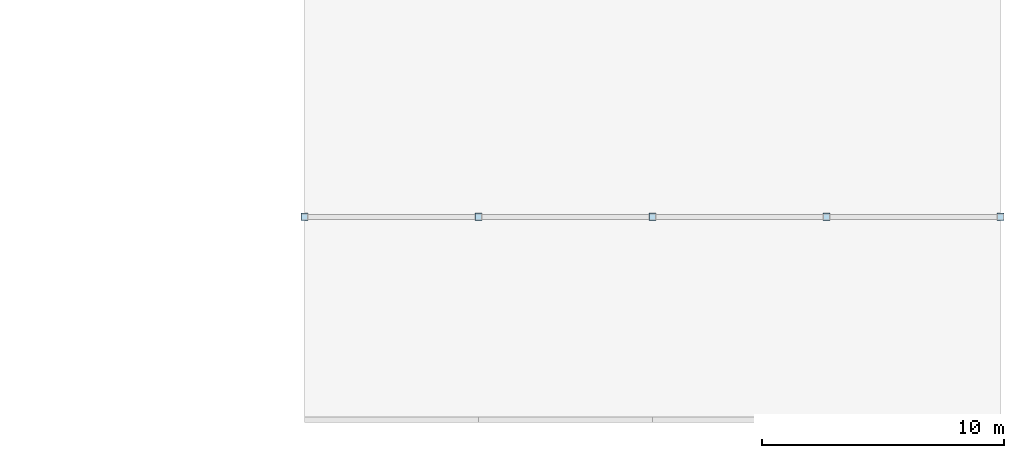
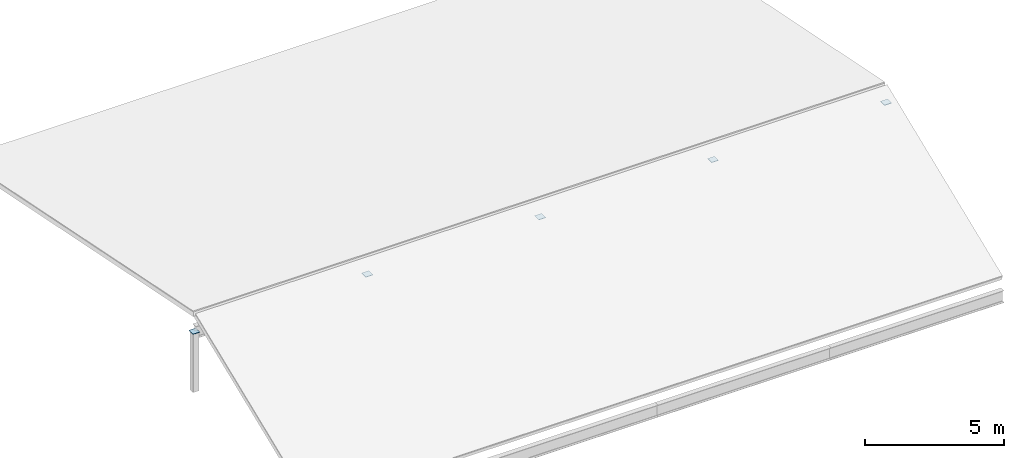
# One storey, part 12 of 13: 5 plates.
"""IFC4 building model written with IfcOpenShell, lengths in metres."""

from ifc_helpers import new_model, si_unit, direction, frame, origin, origin_2d, place, context, subcontext, project, spatial, rectangle, extrude, material, layer, layer_set, type_object, element, save


model = new_model("IFC4")

# Units and contexts
model_context = context("Model", 3, precision=1e-05, world=origin(), true_north=direction((0.0, 1.0)))
body_context = subcontext(model_context, "Body", "Model", "MODEL_VIEW")
ifc_project = project(units=[si_unit("LENGTHUNIT", "METRE"), si_unit("AREAUNIT", "SQUARE_METRE"), si_unit("VOLUMEUNIT", "CUBIC_METRE"), si_unit("PLANEANGLEUNIT", "RADIAN"), si_unit("MASSUNIT", "GRAM", prefix="KILO")], contexts=[model_context])

# Site, building, storey
site_placement = place(None, origin())
site = spatial("IfcSite", under=ifc_project, at=site_placement, CompositionType="ELEMENT")
building_placement = place(site_placement, origin())
building = spatial("IfcBuilding", under=site, at=building_placement, Name="Calvrana Isthmian Art Gallery", CompositionType="ELEMENT")
storey_placement = place(building_placement, frame((0.0, 0.0, 29.39990234375)))
storey = spatial("IfcBuildingStorey", under=building, at=storey_placement, Name="RF", CompositionType="ELEMENT", Elevation=29.39990234375)

# Plates
ifc_material = material(Name="Steel ASTM A572 Gr 50", Category="steel")
ifc_layer = layer(ifc_material, 0.01611328125, Name="Steel ASTM A572 Gr 50")
ifc_layer_set = layer_set([ifc_layer], Name="Steel ASTM A572 Gr 50")
plate_type = type_object("IfcPlateType", Name="PL-CAP-16", PredefinedType="SHEET", material=ifc_layer_set)
for number, where, z_axis, x_axis, name in (
    (1, (112.800048828125, 30.0, 2.572021484375), (0.0, 0.0, 1.0), (1.0, 0.0, 0.0), "Hollow section end cap plate 527"),
    (2, (120.0, 30.0, 2.572021484375), (0.0, 0.0, 1.0), (1.0, 0.0, 0.0), "Hollow section end cap plate 528"),
    (3, (127.199951171875, 30.0, 2.572021484375), (0.0, 0.0, 1.0), (1.0, 0.0, 0.0), "Hollow section end cap plate 529"),
    (4, (134.39990234375, 30.0, 2.572021484375), (0.0, 0.0, 1.0), (1.0, 0.0, 0.0), "Hollow section end cap plate 530"),
    (5, (141.60009765625, 30.0, 2.572021484375), (0.0, 0.0, 1.0), (1.0, 0.0, 0.0), "Hollow section end cap plate 531"),
):
    element("IfcPlate", number, at=place(storey_placement, frame(where, z_axis=z_axis, x_axis=x_axis)), inside=storey, type_object=plate_type, Name=name, PredefinedType="SHEET", context=body_context, shape_type="SweptSolid", body=[
        extrude(rectangle(XDim=0.2939453125, YDim=0.2939453125, at=origin_2d()), origin(), (0.0, 0.0, 1.0), 0.01611328125),
    ])

save(model, "model.ifc")
